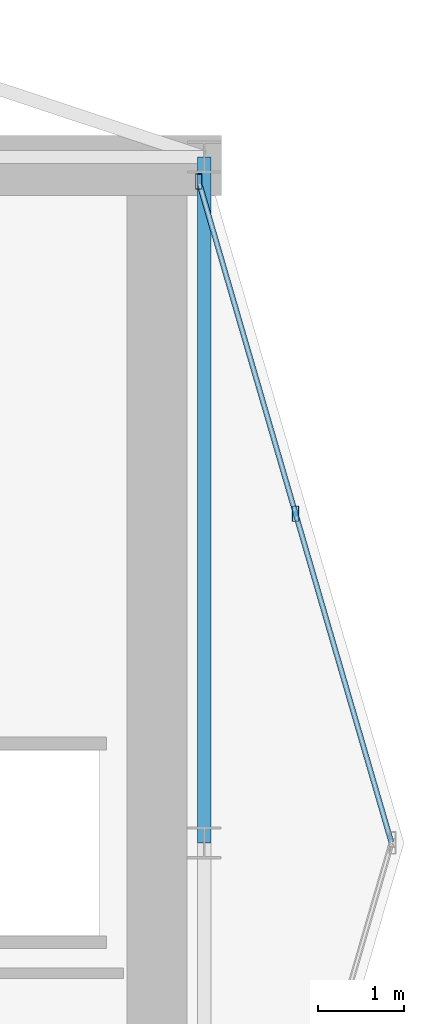
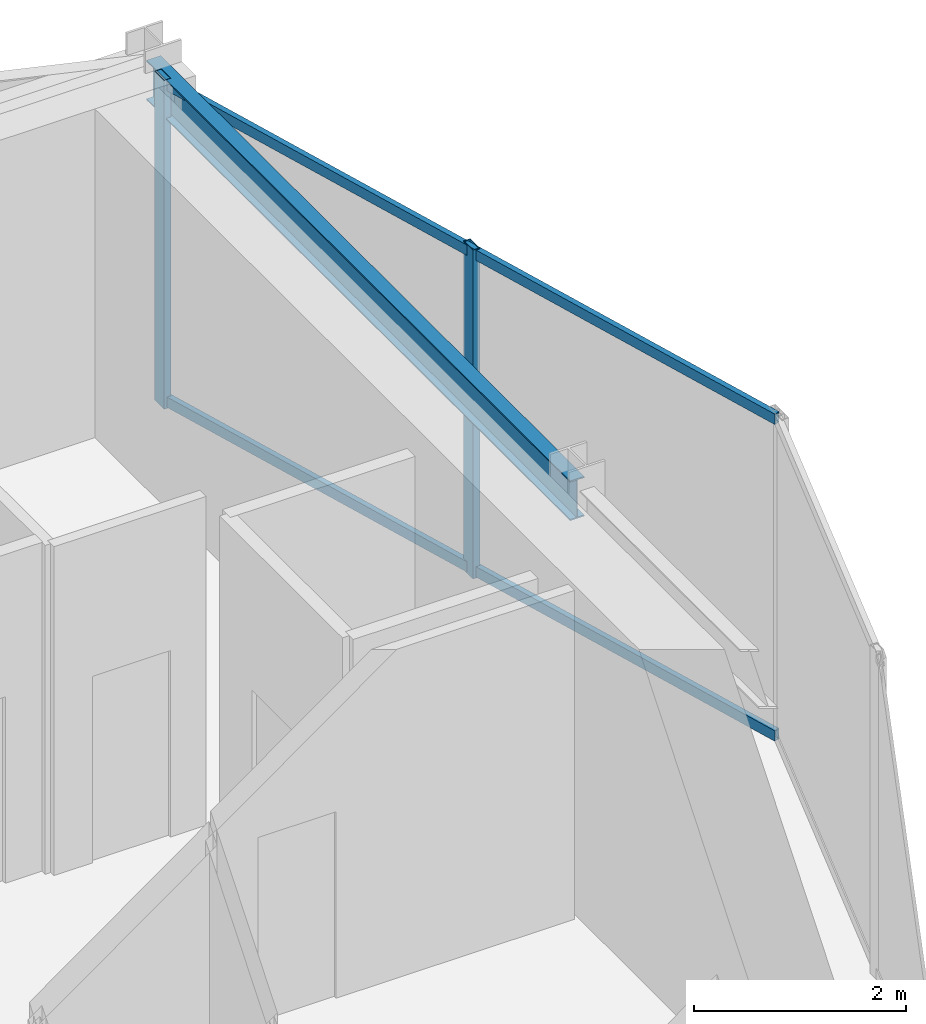
# One storey, part 15 of 21: 4 members, 1 beam, 1 element without a shape of its own.
"""IFC4 building model written with IfcOpenShell, lengths in metres."""

from ifc_helpers import new_model, si_unit, direction, frame, origin, origin_2d, place, context, subcontext, project, spatial, hollow_rectangle, i_section, extrude, material, layer, layer_set, material_profile, profile_set, type_object, element, aggregate, save


model = new_model("IFC4")

# Units and contexts
model_context = context("Model", 3, precision=1e-05, world=origin(), true_north=direction((0.0, 1.0)))
body_context = subcontext(model_context, "Body", "Model", "MODEL_VIEW")
ifc_project = project(units=[si_unit("LENGTHUNIT", "METRE"), si_unit("AREAUNIT", "SQUARE_METRE"), si_unit("VOLUMEUNIT", "CUBIC_METRE"), si_unit("PLANEANGLEUNIT", "RADIAN"), si_unit("MASSUNIT", "GRAM", prefix="KILO")], contexts=[model_context])

# Site, building, storey
site_placement = place(None, origin())
site = spatial("IfcSite", under=ifc_project, at=site_placement, CompositionType="ELEMENT")
building_placement = place(site_placement, origin())
building = spatial("IfcBuilding", under=site, at=building_placement, Name="Veymaron Broadcast Tower", CompositionType="ELEMENT")
storey_placement = place(building_placement, frame((0.0, 0.0, 228.300048828125)))
storey = spatial("IfcBuildingStorey", under=building, at=storey_placement, Name="L53", CompositionType="ELEMENT", Elevation=228.300048828125)

# Beam
ifc_material_1 = material(Name="Structural steel ASTM A992 Gr 50", Category="steel")
ifc_material_profile_1 = material_profile(ifc_material_1, i_section(OverallWidth=0.154052734375, OverallDepth=0.458984375, WebThickness=0.009033203125, FlangeThickness=0.015380859375, at=origin_2d()), Name="W460X68")
ifc_profile_set_1 = profile_set([ifc_material_profile_1], Name="Structural steel ASTM A992 Gr 50")
beam_type = type_object("IfcBeamType", Name="BM-SP2", PredefinedType="SPANDREL", material=ifc_profile_set_1)
beam_placement = place(storey_placement, frame((54.60009765625, 24.0, 3.560546875), z_axis=(0.0, 1.0, 0.0), x_axis=(-1.0, 0.0, 0.0)))
element("IfcBeam", 1, at=beam_placement, inside=storey, type_object=beam_type, Name="L53 primary structural floor girder", PredefinedType="SPANDREL", context=body_context, shape_type="SweptSolid", body=[
    extrude(i_section(OverallWidth=0.154052734375, OverallDepth=0.458984375, WebThickness=0.009033203125, FlangeThickness=0.015380859375, at=origin_2d()), origin(), (0.0, 0.0, 1.0), 8.0),
])

# Curtain wall, members
ifc_material_2 = material(Name="Anodised aluminium AA 6063-T6 and laminated low-E dark glass", Category="aluminium")
ifc_layer = layer(ifc_material_2, 0.179931640625)
ifc_layer_set = layer_set([ifc_layer], Name="Anodised aluminium AA 6063-T6 and laminated low-E dark glass")
curtain_wall_type = type_object("IfcCurtainWallType", Name="CW-SYS-05", PredefinedType="NOTDEFINED", material=ifc_layer_set)
curtain_wall_placement = place(storey_placement, origin())
curtain_wall = element("IfcCurtainWall", 2, at=curtain_wall_placement, inside=storey, type_object=curtain_wall_type, Name="L53 dark-glass curtain wall CW-L53-E3-1", PredefinedType="NOTDEFINED")
ifc_material_3 = material(Name="Anodised aluminium AA 6063-T6", Category="aluminium")
ifc_material_profile_2 = material_profile(ifc_material_3, hollow_rectangle(XDim=0.074951171875, YDim=0.179931640625, WallThickness=0.0048828125, at=origin_2d()), Name="AL180X75X5")
ifc_profile_set_2 = profile_set([ifc_material_profile_2], Name="Anodised aluminium AA 6063-T6")
member_type_1 = type_object("IfcMemberType", Name="CW-MUL-02", PredefinedType="MULLION", material=ifc_profile_set_2)
member_1_placement = place(storey_placement, frame((55.66650390625, 27.83935546875, 0.0), z_axis=(0.0, 0.0, 1.0), x_axis=(1.0, 0.0, 0.0)))
member_1 = element("IfcMember", 3, at=member_1_placement, type_object=member_type_1, Name="CW-L53-E3-1 mullion 1", PredefinedType="MULLION", context=body_context, shape_type="SweptSolid", body=[
    extrude(hollow_rectangle(XDim=0.074951171875, YDim=0.179931640625, WallThickness=0.0048828125, at=origin_2d()), origin(), (0.0, 0.0, 1.0), 3.7900390625),
])
member_2_placement = place(storey_placement, frame((54.536376953125, 31.7177734375, 0.0), z_axis=(0.0, 0.0, 1.0), x_axis=(1.0, 0.0, 0.0)))
member_2 = element("IfcMember", 4, at=member_2_placement, type_object=member_type_1, Name="CW-L53-E3-1 mullion 2", PredefinedType="MULLION", context=body_context, shape_type="SweptSolid", body=[
    extrude(hollow_rectangle(XDim=0.074951171875, YDim=0.179931640625, WallThickness=0.0048828125, at=origin_2d()), origin(), (0.0, 0.0, 1.0), 3.7900390625),
])
ifc_material_profile_3 = material_profile(ifc_material_3, hollow_rectangle(XDim=0.06005859375, YDim=0.1201171875, WallThickness=0.00390625, at=origin_2d()), Name="AL120X60X4")
ifc_profile_set_3 = profile_set([ifc_material_profile_3], Name="Anodised aluminium AA 6063-T6")
member_type_2 = type_object("IfcMemberType", Name="CW-TRN-02", PredefinedType="USERDEFINED", material=ifc_profile_set_3)
member_3_placement = place(storey_placement, frame((56.78271484375, 24.0087890625, 0.070068359375), z_axis=(-0.279760322588, 0.960069873449, 0.0), x_axis=(-0.960069873449, -0.279760322588, 0.0)))
member_3 = element("IfcMember", 5, at=member_3_placement, type_object=member_type_2, Name="CW-L53-E3-1 transom B", ObjectType="TRANSOM", PredefinedType="USERDEFINED", context=body_context, shape_type="SweptSolid", body=[
    extrude(hollow_rectangle(XDim=0.06005859375, YDim=0.1201171875, WallThickness=0.00390625, at=origin_2d()), origin(), (0.0, 0.0, 1.0), 7.979736328125),
])
member_4_placement = place(storey_placement, frame((56.78271484375, 24.0087890625, 3.719970703125), z_axis=(-0.279760322588, 0.960069873449, 0.0), x_axis=(-0.960069873449, -0.279760322588, 0.0)))
member_4 = element("IfcMember", 6, at=member_4_placement, type_object=member_type_2, Name="CW-L53-E3-1 transom T", ObjectType="TRANSOM", PredefinedType="USERDEFINED", context=body_context, shape_type="SweptSolid", body=[
    extrude(hollow_rectangle(XDim=0.06005859375, YDim=0.1201171875, WallThickness=0.00390625, at=origin_2d()), origin(), (0.0, 0.0, 1.0), 7.979736328125),
])
aggregate(curtain_wall, [member_1, member_2, member_3, member_4])

save(model, "model.ifc")
